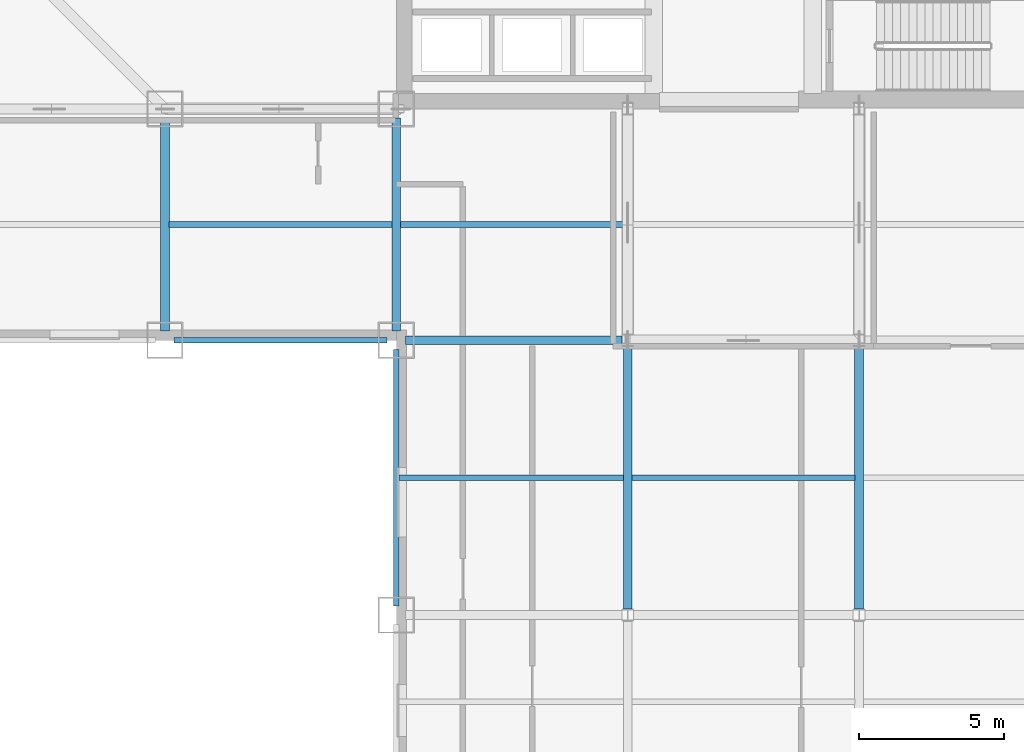
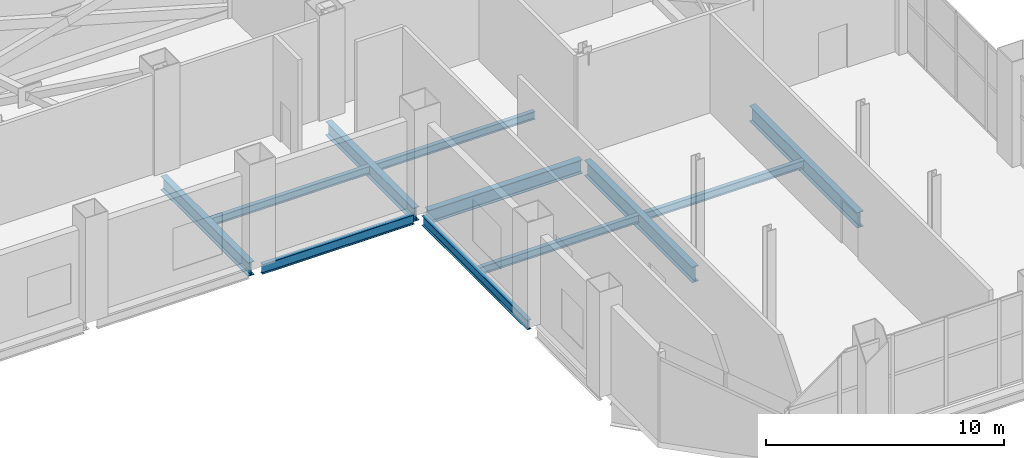
# One storey, part 11 of 26: 11 beams.
"""IFC4 building model written with IfcOpenShell, lengths in metres."""

from ifc_helpers import new_model, si_unit, direction, frame, origin, origin_2d, place, context, subcontext, project, spatial, i_section, extrude, material, material_profile, profile_set, type_object, element, save


model = new_model("IFC4")

# Units and contexts
model_context = context("Model", 3, precision=1e-05, world=origin(), true_north=direction((0.0, 1.0)))
body_context = subcontext(model_context, "Body", "Model", "MODEL_VIEW")
ifc_project = project(units=[si_unit("LENGTHUNIT", "METRE"), si_unit("AREAUNIT", "SQUARE_METRE"), si_unit("VOLUMEUNIT", "CUBIC_METRE"), si_unit("PLANEANGLEUNIT", "RADIAN"), si_unit("MASSUNIT", "GRAM", prefix="KILO")], contexts=[model_context])

# Site, building, storey
site_placement = place(None, origin())
site = spatial("IfcSite", under=ifc_project, at=site_placement, CompositionType="ELEMENT")
building_placement = place(site_placement, origin())
building = spatial("IfcBuilding", under=site, at=building_placement, Name="Qianrong Seaharbour Tower", CompositionType="ELEMENT")
storey_placement = place(building_placement, frame((0.0, 0.0, 108.199951171875)))
storey = spatial("IfcBuildingStorey", under=building, at=storey_placement, Name="L26", CompositionType="ELEMENT", Elevation=108.199951171875)

# Beams
ifc_material_1 = material(Name="Structural steel SN490B", Category="steel")
ifc_material_profile_1 = material_profile(ifc_material_1, i_section(OverallWidth=0.300048828125, OverallDepth=0.699951171875, WebThickness=0.012939453125, FlangeThickness=0.02392578125, FilletRadius=0.02587890625, at=origin_2d()), Name="H700x300x13x24")
ifc_profile_set_1 = profile_set([ifc_material_profile_1], Name="Structural steel SN490B")
beam_type_1 = type_object("IfcBeamType", Name="BM-G-700", PredefinedType="BEAM", material=ifc_profile_set_1)
beam_1_placement = place(storey_placement, frame((40.820068359375, 28.0, -0.699951171875), z_axis=(1.0, 0.0, 0.0), x_axis=(0.0, 1.0, 0.0)))
element("IfcBeam", 1, at=beam_1_placement, inside=storey, type_object=beam_type_1, Name="L26 Primary Girder GE G6-G7", PredefinedType="BEAM", context=body_context, shape_type="SweptSolid", body=[
    extrude(i_section(OverallWidth=0.300048828125, OverallDepth=0.699951171875, WebThickness=0.012939453125, FlangeThickness=0.02392578125, FilletRadius=0.02587890625, at=origin_2d()), origin(), (0.0, 0.0, 1.0), 7.476318359375),
])
for number, where, z_axis, x_axis, name in (
    (2, (32.5, 28.320068359375, -0.699951171875), (0.0, 1.0, 0.0), (-1.0, 0.0, 0.0), "L26 Primary Girder G5 GE-GF"),
    (3, (40.5, 28.320068359375, -0.699951171875), (0.0, 1.0, 0.0), (-1.0, 0.0, 0.0), "L26 Primary Girder G6 GE-GF"),
):
    element("IfcBeam", number, at=place(storey_placement, frame(where, z_axis=z_axis, x_axis=x_axis)), inside=storey, type_object=beam_type_1, Name=name, PredefinedType="BEAM", context=body_context, shape_type="SweptSolid", body=[
        extrude(i_section(OverallWidth=0.300048828125, OverallDepth=0.699951171875, WebThickness=0.012939453125, FlangeThickness=0.02392578125, FilletRadius=0.02587890625, at=origin_2d()), origin(), (0.0, 0.0, 1.0), 7.35986328125),
    ])
ifc_material_profile_2 = material_profile(ifc_material_1, i_section(OverallWidth=0.300048828125, OverallDepth=0.800048828125, WebThickness=0.013916015625, FlangeThickness=0.02587890625, FilletRadius=0.028076171875, at=origin_2d()), Name="H800x300x14x26")
ifc_profile_set_2 = profile_set([ifc_material_profile_2], Name="Structural steel SN490B")
beam_type_2 = type_object("IfcBeamType", Name="BM-G-800", PredefinedType="BEAM", material=ifc_profile_set_2)
for number, where, z_axis, x_axis, name in (
    (4, (48.5, 18.714111328125, -0.75), (0.0, 1.0, 0.0), (-1.0, 0.0, 0.0), "L26 Primary Girder G7 GD-GE"),
    (5, (56.5, 18.714111328125, -0.75), (0.0, 1.0, 0.0), (-1.0, 0.0, 0.0), "L26 Primary Girder G8 GD-GE"),
):
    element("IfcBeam", number, at=place(storey_placement, frame(where, z_axis=z_axis, x_axis=x_axis)), inside=storey, type_object=beam_type_2, Name=name, PredefinedType="BEAM", context=body_context, shape_type="SweptSolid", body=[
        extrude(i_section(OverallWidth=0.300048828125, OverallDepth=0.800048828125, WebThickness=0.013916015625, FlangeThickness=0.02587890625, FilletRadius=0.028076171875, at=origin_2d()), origin(), (0.0, 0.0, 1.0), 9.07177734375),
    ])
ifc_material_2 = material(Name="Structural steel SN400B", Category="steel")
ifc_material_profile_3 = material_profile(ifc_material_2, i_section(OverallWidth=0.199951171875, OverallDepth=0.39990234375, WebThickness=0.008056640625, FlangeThickness=0.012939453125, FilletRadius=0.01611328125, at=origin_2d()), Name="H400x200x8x13")
ifc_profile_set_3 = profile_set([ifc_material_profile_3], Name="Structural steel SN400B")
beam_type_3 = type_object("IfcBeamType", Name="BM-J-400", PredefinedType="JOIST", material=ifc_profile_set_3)
beam_2_placement = place(storey_placement, frame((32.64990234375, 32.0, -0.550048828125), z_axis=(1.0, 0.0, 0.0), x_axis=(0.0, 1.0, 0.0)))
element("IfcBeam", 6, at=beam_2_placement, inside=storey, type_object=beam_type_3, Name="L26 Composite Floor Joist G5-G6/GE-GF", PredefinedType="JOIST", context=body_context, shape_type="SweptSolid", body=[
    extrude(i_section(OverallWidth=0.199951171875, OverallDepth=0.39990234375, WebThickness=0.008056640625, FlangeThickness=0.012939453125, FilletRadius=0.01611328125, at=origin_2d()), origin(), (0.0, 0.0, 1.0), 7.7001953125),
])
beam_3_placement = place(storey_placement, frame((40.60009765625, 23.25, -0.550048828125), z_axis=(1.0, 0.0, 0.0), x_axis=(0.0, 1.0, 0.0)))
element("IfcBeam", 7, at=beam_3_placement, inside=storey, type_object=beam_type_3, Name="L26 Composite Floor Joist G6-G7/GD-GE", PredefinedType="JOIST", context=body_context, shape_type="SweptSolid", body=[
    extrude(i_section(OverallWidth=0.199951171875, OverallDepth=0.39990234375, WebThickness=0.008056640625, FlangeThickness=0.012939453125, FilletRadius=0.01611328125, at=origin_2d()), origin(), (0.0, 0.0, 1.0), 7.75),
])
for number, where, z_axis, x_axis, name in (
    (8, (40.64990234375, 32.0, -0.550048828125), (1.0, 0.0, 0.0), (0.0, 1.0, 0.0), "L26 Composite Floor Joist G6-G7/GE-GF"),
    (9, (48.64990234375, 23.25, -0.550048828125), (1.0, 0.0, 0.0), (0.0, 1.0, 0.0), "L26 Composite Floor Joist G7-G8/GD-GE"),
):
    element("IfcBeam", number, at=place(storey_placement, frame(where, z_axis=z_axis, x_axis=x_axis)), inside=storey, type_object=beam_type_3, Name=name, PredefinedType="JOIST", context=body_context, shape_type="SweptSolid", body=[
        extrude(i_section(OverallWidth=0.199951171875, OverallDepth=0.39990234375, WebThickness=0.008056640625, FlangeThickness=0.012939453125, FilletRadius=0.01611328125, at=origin_2d()), origin(), (0.0, 0.0, 1.0), 7.7001953125),
    ])
ifc_material_profile_4 = material_profile(ifc_material_1, i_section(OverallWidth=0.199951171875, OverallDepth=0.5, WebThickness=0.010009765625, FlangeThickness=0.01611328125, FilletRadius=0.02001953125, at=origin_2d()), Name="H500x200x10x16")
ifc_profile_set_4 = profile_set([ifc_material_profile_4], Name="Structural steel SN490B")
beam_type_4 = type_object("IfcBeamType", Name="BM-SP-500", PredefinedType="SPANDREL", material=ifc_profile_set_4)
beam_4_placement = place(storey_placement, frame((32.820068359375, 28.0, -0.599853515625), z_axis=(1.0, 0.0, 0.0), x_axis=(0.0, 1.0, 0.0)))
element("IfcBeam", 10, at=beam_4_placement, inside=storey, type_object=beam_type_4, Name="L26 Spandrel Girder GE G5-G6", PredefinedType="SPANDREL", context=body_context, shape_type="SweptSolid", body=[
    extrude(i_section(OverallWidth=0.199951171875, OverallDepth=0.5, WebThickness=0.010009765625, FlangeThickness=0.01611328125, FilletRadius=0.02001953125, at=origin_2d()), origin(), (0.0, 0.0, 1.0), 7.35986328125),
])
beam_5_placement = place(storey_placement, frame((40.5, 18.820068359375, -0.599853515625), z_axis=(0.0, 1.0, 0.0), x_axis=(-1.0, 0.0, 0.0)))
element("IfcBeam", 11, at=beam_5_placement, inside=storey, type_object=beam_type_4, Name="L26 Spandrel Girder G6 GD-GE", PredefinedType="SPANDREL", context=body_context, shape_type="SweptSolid", body=[
    extrude(i_section(OverallWidth=0.199951171875, OverallDepth=0.5, WebThickness=0.010009765625, FlangeThickness=0.01611328125, FilletRadius=0.02001953125, at=origin_2d()), origin(), (0.0, 0.0, 1.0), 8.85986328125),
])

save(model, "model.ifc")
